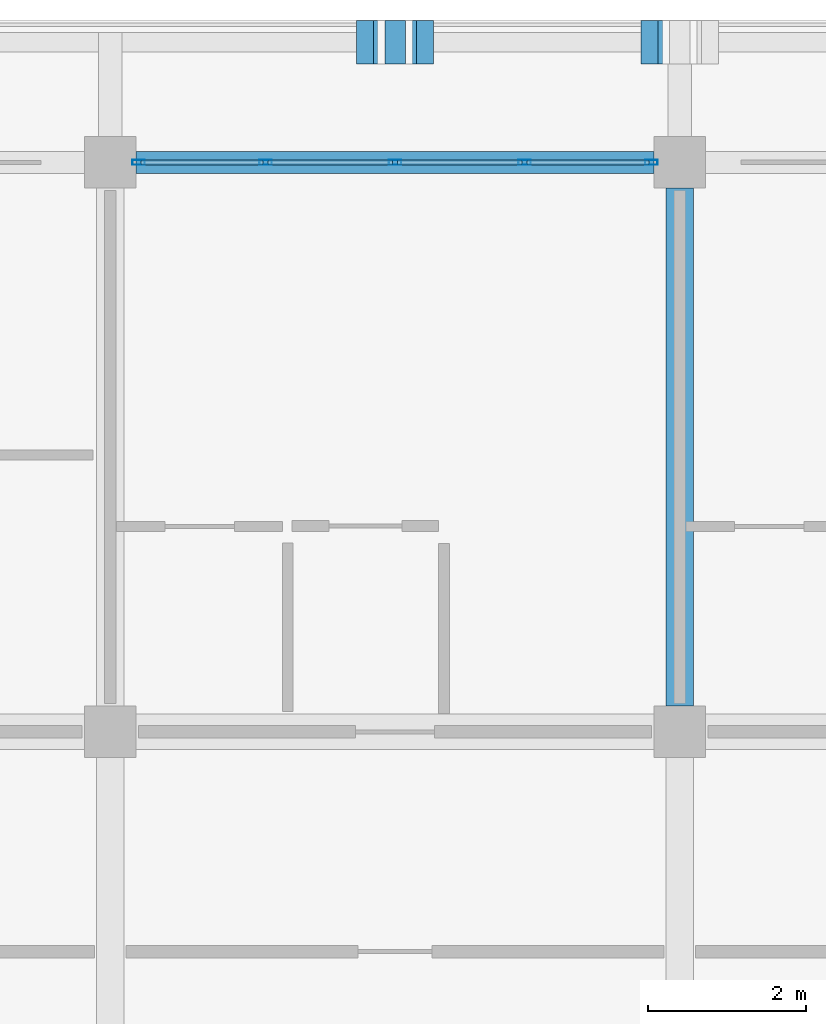
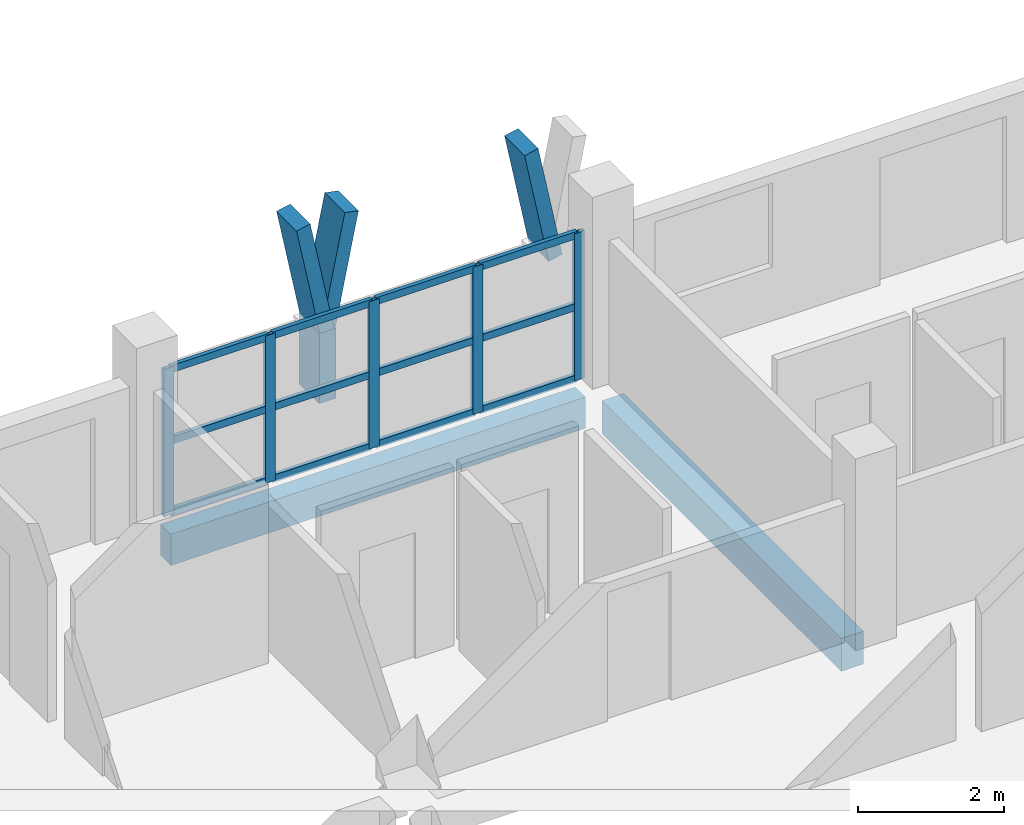
# One storey, part 20 of 76: 21 members, 2 beams, 1 element without a shape of its own.
"""IFC4 building model written with IfcOpenShell, lengths in metres."""

from ifc_helpers import new_model, si_unit, direction, frame, origin, origin_2d, place, context, subcontext, project, spatial, rectangle, hollow_rectangle, extrude, material, material_profile, profile_set, type_object, element, aggregate, save


model = new_model("IFC4")

# Units and contexts
model_context = context("Model", 3, precision=1e-05, world=origin(), true_north=direction((0.0, 1.0)))
body_context = subcontext(model_context, "Body", "Model", "MODEL_VIEW")
ifc_project = project(units=[si_unit("LENGTHUNIT", "METRE"), si_unit("AREAUNIT", "SQUARE_METRE"), si_unit("VOLUMEUNIT", "CUBIC_METRE"), si_unit("PLANEANGLEUNIT", "RADIAN"), si_unit("MASSUNIT", "GRAM", prefix="KILO")], contexts=[model_context])

# Site, building, storey
site_placement = place(None, origin())
site = spatial("IfcSite", under=ifc_project, at=site_placement, CompositionType="ELEMENT")
building_placement = place(site_placement, origin())
building = spatial("IfcBuilding", under=site, at=building_placement, Name="Suanplinth Sawtooth Commons", CompositionType="ELEMENT")
storey_placement = place(building_placement, frame((0.0, 0.0, 12.199951171875)))
storey = spatial("IfcBuildingStorey", under=building, at=storey_placement, Name="L03", CompositionType="ELEMENT", Elevation=12.199951171875)

# Beams
ifc_material_1 = material(Name="Precast concrete C40/50", Category="concrete")
ifc_material_profile_1 = material_profile(ifc_material_1, rectangle(XDim=0.35009765625, YDim=0.550048828125, at=origin_2d()), Name="PC-BM 350x550")
ifc_profile_set_1 = profile_set([ifc_material_profile_1], Name="Precast concrete C40/50")
beam_type_1 = type_object("IfcBeamType", Name="B-06", PredefinedType="BEAM", material=ifc_profile_set_1)
beam_1_placement = place(storey_placement, frame((86.39990234375, 115.52490234375, -0.514892578125), z_axis=(0.0, 1.0, 0.0), x_axis=(-1.0, 0.0, 0.0)))
element("IfcBeam", 1, at=beam_1_placement, inside=storey, type_object=beam_type_1, Name="BMY-L03-A-12-16", PredefinedType="BEAM", context=body_context, shape_type="SweptSolid", body=[
    extrude(rectangle(XDim=0.35009765625, YDim=0.550048828125, at=origin_2d()), origin(), (0.0, 0.0, 1.0), 6.550048828125),
])
ifc_material_profile_2 = material_profile(ifc_material_1, rectangle(XDim=0.280029296875, YDim=0.52001953125, at=origin_2d()), Name="PC-SP 280x520")
ifc_profile_set_2 = profile_set([ifc_material_profile_2], Name="Precast concrete C40/50")
beam_type_2 = type_object("IfcBeamType", Name="B-08", PredefinedType="SPANDREL", material=ifc_profile_set_2)
beam_2_placement = place(storey_placement, frame((79.52490234375, 122.39990234375, -0.5), z_axis=(1.0, 0.0, 0.0), x_axis=(0.0, 1.0, 0.0)))
element("IfcBeam", 2, at=beam_2_placement, inside=storey, type_object=beam_type_2, Name="BMX-L03-A-11-17", PredefinedType="SPANDREL", context=body_context, shape_type="SweptSolid", body=[
    extrude(rectangle(XDim=0.280029296875, YDim=0.52001953125, at=origin_2d()), origin(), (0.0, 0.0, 1.0), 6.550048828125),
])

# Members
ifc_material_2 = material(Name="Pigmented precast concrete C40/50", Category="concrete")
ifc_material_profile_3 = material_profile(ifc_material_2, rectangle(XDim=0.260009765625, YDim=0.550048828125, at=origin_2d()), Name="PC-FIN 260x550")
ifc_profile_set_3 = profile_set([ifc_material_profile_3], Name="Pigmented precast concrete C40/50")
member_type_1 = type_object("IfcMemberType", Name="M-09", PredefinedType="USERDEFINED", material=ifc_profile_set_3)
member_1_placement = place(storey_placement, frame((82.800048828125, 123.919921875, 0.0), z_axis=(0.0, 0.0, 1.0), x_axis=(1.0, 0.0, 0.0)))
element("IfcMember", 3, at=member_1_placement, inside=storey, type_object=member_type_1, Name="Y-Blade Stem L03-A-N-08", ObjectType="SHADING FIN", PredefinedType="USERDEFINED", context=body_context, shape_type="SweptSolid", body=[
    extrude(rectangle(XDim=0.260009765625, YDim=0.550048828125, at=origin_2d()), origin(), (0.0, 0.0, 1.0), 1.170166015625),
])
ifc_material_profile_4 = material_profile(ifc_material_2, rectangle(XDim=0.219970703125, YDim=0.550048828125, at=origin_2d()), Name="PC-FIN 220x550")
ifc_profile_set_4 = profile_set([ifc_material_profile_4], Name="Pigmented precast concrete C40/50")
member_type_2 = type_object("IfcMemberType", Name="M-10", PredefinedType="USERDEFINED", material=ifc_profile_set_4)
member_2_placement = place(storey_placement, frame((82.800048828125, 123.919921875, 1.130126953125), z_axis=(-0.196431120402, 0.0, 0.980517626021), x_axis=(0.980517626021, 0.0, 0.196431120402)))
element("IfcMember", 4, at=member_2_placement, inside=storey, type_object=member_type_2, Name="Y-Blade Arm L L03-A-N-08", ObjectType="SHADING FIN", PredefinedType="USERDEFINED", context=body_context, shape_type="SweptSolid", body=[
    extrude(rectangle(XDim=0.219970703125, YDim=0.550048828125, at=origin_2d()), origin(), (0.0, 0.0, 1.0), 1.937744140625),
])
for number, where, z_axis, x_axis, name in (
    (5, (82.800048828125, 123.919921875, 1.130126953125), (0.196309979414, 0.0, 0.980541886909), (-0.980541886909, 0.0, 0.196309979414), "Y-Blade Arm R L03-A-N-08"),
    (6, (86.39990234375, 123.919921875, 1.130126953125), (-0.196309979414, 0.0, 0.980541886909), (0.980541886909, 0.0, 0.196309979414), "Y-Blade Arm L L03-A-N-09"),
):
    element("IfcMember", number, at=place(storey_placement, frame(where, z_axis=z_axis, x_axis=x_axis)), inside=storey, type_object=member_type_2, Name=name, ObjectType="SHADING FIN", PredefinedType="USERDEFINED", context=body_context, shape_type="SweptSolid", body=[
        extrude(rectangle(XDim=0.219970703125, YDim=0.550048828125, at=origin_2d()), origin(), (0.0, 0.0, 1.0), 1.9375),
    ])

# Curtain wall, members
ifc_material_3 = material(Name="Anodized aluminium and low-E glazing", Category="aluminium")
curtain_wall_type = type_object("IfcCurtainWallType", Name="CW-06", PredefinedType="USERDEFINED", material=ifc_material_3)
curtain_wall_placement = place(storey_placement, origin())
curtain_wall = element("IfcCurtainWall", 7, at=curtain_wall_placement, inside=storey, type_object=curtain_wall_type, Name="Curtain Wall CW-L03-A-LOUNGE-11", ObjectType="CURTAIN WALL", PredefinedType="USERDEFINED")
ifc_material_4 = material(Name="Anodized aluminium 6063-T6", Category="aluminium")
ifc_material_profile_5 = material_profile(ifc_material_4, hollow_rectangle(XDim=0.06494140625, YDim=0.159912109375, WallThickness=0.00390625, at=origin_2d()), Name="ALU-MUL 65x160")
ifc_profile_set_5 = profile_set([ifc_material_profile_5], Name="Anodized aluminium 6063-T6")
member_type_3 = type_object("IfcMemberType", Name="M-13", PredefinedType="MULLION", material=ifc_profile_set_5)
member_3_placement = place(storey_placement, frame((79.5576171875, 122.39990234375, 0.0), z_axis=(0.0, 0.0, 1.0), x_axis=(0.0, 1.0, 0.0)))
member_3 = element("IfcMember", 8, at=member_3_placement, type_object=member_type_3, Name="CW-06 mullion 1", PredefinedType="MULLION", context=body_context, shape_type="SweptSolid", body=[
    extrude(hollow_rectangle(XDim=0.06494140625, YDim=0.159912109375, WallThickness=0.00390625, at=origin_2d()), origin(), (0.0, 0.0, 1.0), 2.4599609375),
])
member_4_placement = place(storey_placement, frame((81.16259765625, 122.39990234375, 0.0), z_axis=(0.0, 0.0, 1.0), x_axis=(0.0, 1.0, 0.0)))
member_4 = element("IfcMember", 9, at=member_4_placement, type_object=member_type_3, Name="CW-06 mullion 2", PredefinedType="MULLION", context=body_context, shape_type="SweptSolid", body=[
    extrude(hollow_rectangle(XDim=0.06494140625, YDim=0.159912109375, WallThickness=0.00390625, at=origin_2d()), origin(), (0.0, 0.0, 1.0), 2.4599609375),
])
member_5_placement = place(storey_placement, frame((82.800048828125, 122.39990234375, 0.0), z_axis=(0.0, 0.0, 1.0), x_axis=(0.0, 1.0, 0.0)))
member_5 = element("IfcMember", 10, at=member_5_placement, type_object=member_type_3, Name="CW-06 mullion 3", PredefinedType="MULLION", context=body_context, shape_type="SweptSolid", body=[
    extrude(hollow_rectangle(XDim=0.06494140625, YDim=0.159912109375, WallThickness=0.00390625, at=origin_2d()), origin(), (0.0, 0.0, 1.0), 2.4599609375),
])
member_6_placement = place(storey_placement, frame((84.4375, 122.39990234375, 0.0), z_axis=(0.0, 0.0, 1.0), x_axis=(0.0, 1.0, 0.0)))
member_6 = element("IfcMember", 11, at=member_6_placement, type_object=member_type_3, Name="CW-06 mullion 4", PredefinedType="MULLION", context=body_context, shape_type="SweptSolid", body=[
    extrude(hollow_rectangle(XDim=0.06494140625, YDim=0.159912109375, WallThickness=0.00390625, at=origin_2d()), origin(), (0.0, 0.0, 1.0), 2.4599609375),
])
member_7_placement = place(storey_placement, frame((86.04248046875, 122.39990234375, 0.0), z_axis=(0.0, 0.0, 1.0), x_axis=(0.0, 1.0, 0.0)))
member_7 = element("IfcMember", 12, at=member_7_placement, type_object=member_type_3, Name="CW-06 mullion 5", PredefinedType="MULLION", context=body_context, shape_type="SweptSolid", body=[
    extrude(hollow_rectangle(XDim=0.06494140625, YDim=0.159912109375, WallThickness=0.00390625, at=origin_2d()), origin(), (0.0, 0.0, 1.0), 2.4599609375),
])
ifc_material_profile_6 = material_profile(ifc_material_4, hollow_rectangle(XDim=0.06494140625, YDim=0.1201171875, WallThickness=0.00390625, at=origin_2d()), Name="ALU-TRN 65x120")
ifc_profile_set_6 = profile_set([ifc_material_profile_6], Name="Anodized aluminium 6063-T6")
member_type_4 = type_object("IfcMemberType", Name="M-15", PredefinedType="USERDEFINED", material=ifc_profile_set_6)
member_8_placement = place(storey_placement, frame((79.590087890625, 122.39990234375, 0.032470703125), z_axis=(1.0, 0.0, 0.0), x_axis=(0.0, 1.0, 0.0)))
member_8 = element("IfcMember", 13, at=member_8_placement, type_object=member_type_4, Name="CW-06 transom 1.1", ObjectType="TRANSOM", PredefinedType="USERDEFINED", context=body_context, shape_type="SweptSolid", body=[
    extrude(hollow_rectangle(XDim=0.06494140625, YDim=0.1201171875, WallThickness=0.00390625, at=origin_2d()), origin(), (0.0, 0.0, 1.0), 1.539794921875),
])
member_9_placement = place(storey_placement, frame((79.590087890625, 122.39990234375, 1.22998046875), z_axis=(1.0, 0.0, 0.0), x_axis=(0.0, 1.0, 0.0)))
member_9 = element("IfcMember", 14, at=member_9_placement, type_object=member_type_4, Name="CW-06 transom 1.2", ObjectType="TRANSOM", PredefinedType="USERDEFINED", context=body_context, shape_type="SweptSolid", body=[
    extrude(hollow_rectangle(XDim=0.06494140625, YDim=0.1201171875, WallThickness=0.00390625, at=origin_2d()), origin(), (0.0, 0.0, 1.0), 1.539794921875),
])
member_10_placement = place(storey_placement, frame((79.590087890625, 122.39990234375, 2.427490234375), z_axis=(1.0, 0.0, 0.0), x_axis=(0.0, 1.0, 0.0)))
member_10 = element("IfcMember", 15, at=member_10_placement, type_object=member_type_4, Name="CW-06 transom 1.3", ObjectType="TRANSOM", PredefinedType="USERDEFINED", context=body_context, shape_type="SweptSolid", body=[
    extrude(hollow_rectangle(XDim=0.06494140625, YDim=0.1201171875, WallThickness=0.00390625, at=origin_2d()), origin(), (0.0, 0.0, 1.0), 1.539794921875),
])
member_11_placement = place(storey_placement, frame((81.195068359375, 122.39990234375, 0.032470703125), z_axis=(1.0, 0.0, 0.0), x_axis=(0.0, 1.0, 0.0)))
member_11 = element("IfcMember", 16, at=member_11_placement, type_object=member_type_4, Name="CW-06 transom 2.1", ObjectType="TRANSOM", PredefinedType="USERDEFINED", context=body_context, shape_type="SweptSolid", body=[
    extrude(hollow_rectangle(XDim=0.06494140625, YDim=0.1201171875, WallThickness=0.00390625, at=origin_2d()), origin(), (0.0, 0.0, 1.0), 1.572509765625),
])
member_12_placement = place(storey_placement, frame((81.195068359375, 122.39990234375, 1.22998046875), z_axis=(1.0, 0.0, 0.0), x_axis=(0.0, 1.0, 0.0)))
member_12 = element("IfcMember", 17, at=member_12_placement, type_object=member_type_4, Name="CW-06 transom 2.2", ObjectType="TRANSOM", PredefinedType="USERDEFINED", context=body_context, shape_type="SweptSolid", body=[
    extrude(hollow_rectangle(XDim=0.06494140625, YDim=0.1201171875, WallThickness=0.00390625, at=origin_2d()), origin(), (0.0, 0.0, 1.0), 1.572509765625),
])
member_13_placement = place(storey_placement, frame((81.195068359375, 122.39990234375, 2.427490234375), z_axis=(1.0, 0.0, 0.0), x_axis=(0.0, 1.0, 0.0)))
member_13 = element("IfcMember", 18, at=member_13_placement, type_object=member_type_4, Name="CW-06 transom 2.3", ObjectType="TRANSOM", PredefinedType="USERDEFINED", context=body_context, shape_type="SweptSolid", body=[
    extrude(hollow_rectangle(XDim=0.06494140625, YDim=0.1201171875, WallThickness=0.00390625, at=origin_2d()), origin(), (0.0, 0.0, 1.0), 1.572509765625),
])
member_14_placement = place(storey_placement, frame((82.83251953125, 122.39990234375, 0.032470703125), z_axis=(1.0, 0.0, 0.0), x_axis=(0.0, 1.0, 0.0)))
member_14 = element("IfcMember", 19, at=member_14_placement, type_object=member_type_4, Name="CW-06 transom 3.1", ObjectType="TRANSOM", PredefinedType="USERDEFINED", context=body_context, shape_type="SweptSolid", body=[
    extrude(hollow_rectangle(XDim=0.06494140625, YDim=0.1201171875, WallThickness=0.00390625, at=origin_2d()), origin(), (0.0, 0.0, 1.0), 1.572509765625),
])
member_15_placement = place(storey_placement, frame((82.83251953125, 122.39990234375, 1.22998046875), z_axis=(1.0, 0.0, 0.0), x_axis=(0.0, 1.0, 0.0)))
member_15 = element("IfcMember", 20, at=member_15_placement, type_object=member_type_4, Name="CW-06 transom 3.2", ObjectType="TRANSOM", PredefinedType="USERDEFINED", context=body_context, shape_type="SweptSolid", body=[
    extrude(hollow_rectangle(XDim=0.06494140625, YDim=0.1201171875, WallThickness=0.00390625, at=origin_2d()), origin(), (0.0, 0.0, 1.0), 1.572509765625),
])
member_16_placement = place(storey_placement, frame((82.83251953125, 122.39990234375, 2.427490234375), z_axis=(1.0, 0.0, 0.0), x_axis=(0.0, 1.0, 0.0)))
member_16 = element("IfcMember", 21, at=member_16_placement, type_object=member_type_4, Name="CW-06 transom 3.3", ObjectType="TRANSOM", PredefinedType="USERDEFINED", context=body_context, shape_type="SweptSolid", body=[
    extrude(hollow_rectangle(XDim=0.06494140625, YDim=0.1201171875, WallThickness=0.00390625, at=origin_2d()), origin(), (0.0, 0.0, 1.0), 1.572509765625),
])
member_17_placement = place(storey_placement, frame((84.469970703125, 122.39990234375, 0.032470703125), z_axis=(1.0, 0.0, 0.0), x_axis=(0.0, 1.0, 0.0)))
member_17 = element("IfcMember", 22, at=member_17_placement, type_object=member_type_4, Name="CW-06 transom 4.1", ObjectType="TRANSOM", PredefinedType="USERDEFINED", context=body_context, shape_type="SweptSolid", body=[
    extrude(hollow_rectangle(XDim=0.06494140625, YDim=0.1201171875, WallThickness=0.00390625, at=origin_2d()), origin(), (0.0, 0.0, 1.0), 1.5400390625),
])
member_18_placement = place(storey_placement, frame((84.469970703125, 122.39990234375, 1.22998046875), z_axis=(1.0, 0.0, 0.0), x_axis=(0.0, 1.0, 0.0)))
member_18 = element("IfcMember", 23, at=member_18_placement, type_object=member_type_4, Name="CW-06 transom 4.2", ObjectType="TRANSOM", PredefinedType="USERDEFINED", context=body_context, shape_type="SweptSolid", body=[
    extrude(hollow_rectangle(XDim=0.06494140625, YDim=0.1201171875, WallThickness=0.00390625, at=origin_2d()), origin(), (0.0, 0.0, 1.0), 1.5400390625),
])
member_19_placement = place(storey_placement, frame((84.469970703125, 122.39990234375, 2.427490234375), z_axis=(1.0, 0.0, 0.0), x_axis=(0.0, 1.0, 0.0)))
member_19 = element("IfcMember", 24, at=member_19_placement, type_object=member_type_4, Name="CW-06 transom 4.3", ObjectType="TRANSOM", PredefinedType="USERDEFINED", context=body_context, shape_type="SweptSolid", body=[
    extrude(hollow_rectangle(XDim=0.06494140625, YDim=0.1201171875, WallThickness=0.00390625, at=origin_2d()), origin(), (0.0, 0.0, 1.0), 1.5400390625),
])
aggregate(curtain_wall, [member_3, member_4, member_5, member_6, member_7, member_8, member_9, member_10, member_11, member_12, member_13, member_14, member_15, member_16, member_17, member_18, member_19])

save(model, "model.ifc")
